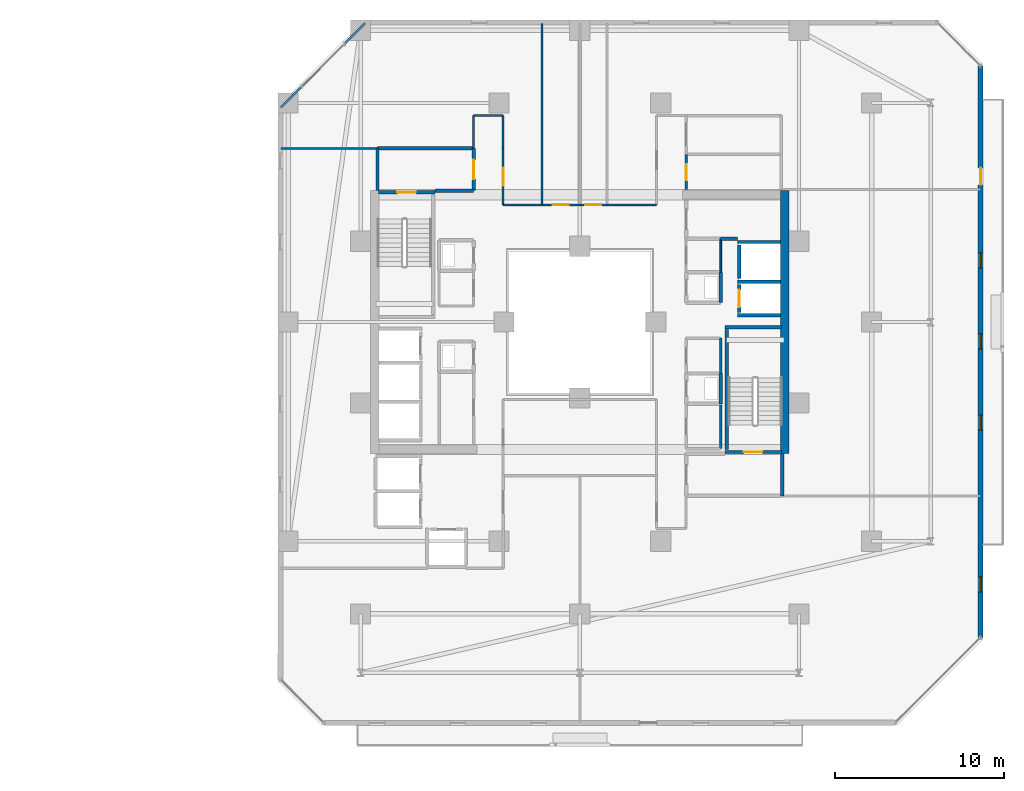
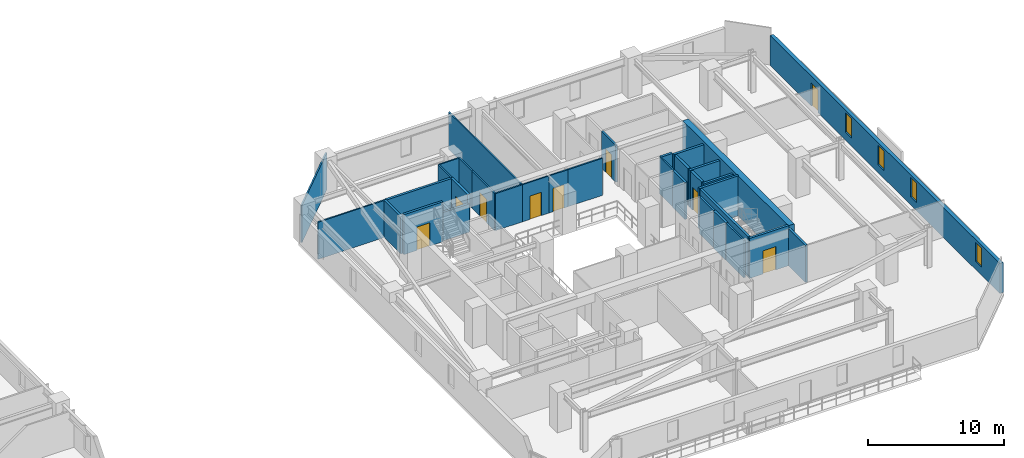
# One storey, part 24 of 33: 34 walls, 9 doors, 4 windows, 13 openings.
"""IFC4 building model written with IfcOpenShell, lengths in metres."""

from ifc_helpers import new_model, si_unit, direction, frame, frame_2d, origin, place, context, subcontext, project, spatial, rectangle, extrude, material, layer, layer_set, type_object, element, fill, save


model = new_model("IFC4")

# Units and contexts
model_context = context("Model", 3, precision=1e-05, world=origin(), true_north=direction((0.0, 1.0)))
body_context = subcontext(model_context, "Body", "Model", "MODEL_VIEW")
ifc_project = project(units=[si_unit("LENGTHUNIT", "METRE"), si_unit("AREAUNIT", "SQUARE_METRE"), si_unit("VOLUMEUNIT", "CUBIC_METRE"), si_unit("PLANEANGLEUNIT", "RADIAN"), si_unit("MASSUNIT", "GRAM", prefix="KILO")], contexts=[model_context])

# Site, building, storey
site_placement = place(None, origin())
site = spatial("IfcSite", under=ifc_project, at=site_placement, CompositionType="ELEMENT")
building_placement = place(site_placement, origin())
building = spatial("IfcBuilding", under=site, at=building_placement, Name="Thornwick Lancets Civic Towers", CompositionType="ELEMENT")
storey_placement = place(building_placement, frame((0.0, 0.0, 134.10009765625)))
storey = spatial("IfcBuildingStorey", under=building, at=storey_placement, Name="L35", CompositionType="ELEMENT", Elevation=134.10009765625)

# Wall, opening, door
ifc_material_1 = material(Name="Concrete blockwork C40/50", Category="masonry")
ifc_layer_1 = layer(ifc_material_1, 0.199951171875, Name="Concrete blockwork C40/50")
ifc_layer_set_1 = layer_set([ifc_layer_1], Name="Concrete blockwork C40/50")
wall_type_1 = type_object("IfcWallType", Name="WALL_COMP_200", PredefinedType="STANDARD", material=ifc_layer_set_1)
wall_1_placement = place(storey_placement, frame((97.949951171875, 29.219970703125, 0.0), z_axis=(0.0, 0.0, 1.0), x_axis=(0.0, -1.0, 0.0)))
wall_1 = element("IfcWall", 1, at=wall_1_placement, inside=storey, type_object=wall_type_1, Name="L35 Hoistway Front Wall FL-B1", PredefinedType="STANDARD", context=body_context, shape_type="SweptSolid", body=[
    extrude(rectangle(XDim=1.639892578125, YDim=0.199951171875, at=frame_2d((0.81982421875, 0.0))), origin(), (0.0, 0.0, 1.0), 3.33984375),
])
opening_1_placement = place(wall_1_placement, frame((0.31005859375, 0.0, 0.0)))
opening_1 = element("IfcOpeningElement", 2, at=opening_1_placement, cuts=wall_1, Name="Opening LD-FL-B1", PredefinedType="OPENING", context=body_context, shape_type="SweptSolid", body=[
    extrude(rectangle(XDim=1.02001953125, YDim=2.06005859375, at=frame_2d((0.510009765625, 1.030029296875))), frame((0.0, 0.10986328125, 0.0), z_axis=(0.0, -1.0, 0.0), x_axis=(1.0, 0.0, 0.0)), (0.0, 0.0, 1.0), 0.219970703125),
])
ifc_material_2 = material(Name="Brushed bronze stainless steel", Category="steel")
door_type_1 = type_object("IfcDoorType", Name="DOOR_LIFT_SLIDE", OperationType="SLIDING_TO_LEFT", PredefinedType="DOOR", material=ifc_material_2)
door_1_placement = place(opening_1_placement, origin())
door_1 = element("IfcDoor", 3, at=door_1_placement, inside=storey, type_object=door_type_1, Name="L35 Sliding Lift Landing Door LD-FL-B1", OperationType="SLIDING_TO_LEFT", OverallHeight=2.06005859375, OverallWidth=1.02001953125, PredefinedType="DOOR", context=body_context, shape_type="SweptSolid", body=[
    extrude(rectangle(XDim=1.02001953125, YDim=2.06005859375, at=frame_2d((0.510009765625, 1.030029296875))), frame((0.0, 0.02490234375, 0.0), z_axis=(0.0, -1.0, 0.0), x_axis=(1.0, 0.0, 0.0)), (0.0, 0.0, 1.0), 0.050048828125),
])
fill(opening_1, door_1)

# Walls
wall_2_placement = place(storey_placement, frame((97.949951171875, 31.570068359375, 0.0), z_axis=(0.0, 0.0, 1.0), x_axis=(0.0, -1.0, 0.0)))
element("IfcWall", 4, at=wall_2_placement, inside=storey, type_object=wall_type_1, Name="L35 Hoistway Front Wall PL-BH1", PredefinedType="STANDARD", context=body_context, shape_type="SweptSolid", body=[
    extrude(rectangle(XDim=1.989990234375, YDim=0.199951171875, at=frame_2d((0.9951171875, 0.0))), origin(), (0.0, 0.0, 1.0), 3.33984375),
])
for number, where, z_axis, x_axis, name in (
    (5, (97.85205078125, 29.39990234375, 0.0), (0.0, 0.0, 1.0), (1.0, 0.0, 0.0), "L35 Hoistway Shaft Wall FL-B1 N"),
    (6, (97.85205078125, 27.39990234375, 0.0), (0.0, 0.0, 1.0), (1.0, 0.0, 0.0), "L35 Hoistway Shaft Wall FL-B1 S"),
    (7, (97.85205078125, 31.75, 0.0), (0.0, 0.0, 1.0), (1.0, 0.0, 0.0), "L35 Hoistway Shaft Wall PL-BH1 N"),
):
    element("IfcWall", number, at=place(storey_placement, frame(where, z_axis=z_axis, x_axis=x_axis)), inside=storey, type_object=wall_type_1, Name=name, PredefinedType="STANDARD", context=body_context, shape_type="SweptSolid", body=[
        extrude(rectangle(XDim=2.535888671875, YDim=0.199951171875, at=frame_2d((1.26806640625, 0.0))), origin(), (0.0, 0.0, 1.0), 3.33984375),
    ])
wall_3_placement = place(storey_placement, frame((100.5, 16.699951171875, 0.0), z_axis=(0.0, 0.0, 1.0), x_axis=(0.0, 1.0, 0.0)))
element("IfcWall", 8, at=wall_3_placement, inside=storey, type_object=wall_type_1, Name="L35 Partition L35-B-FFLOB1 E2", PredefinedType="STANDARD", context=body_context, shape_type="SweptSolid", body=[
    extrude(rectangle(XDim=2.5, YDim=0.199951171875, at=frame_2d((1.25, 0.0))), origin(), (0.0, 0.0, 1.0), 3.33984375),
])
wall_4_placement = place(storey_placement, frame((79.89990234375, 34.800048828125, 0.0), z_axis=(0.0, 0.0, 1.0), x_axis=(1.0, 0.0, 0.0)))
element("IfcWall", 9, at=wall_4_placement, inside=storey, type_object=wall_type_1, Name="L35 Partition L35-B-FFLOB2 E1", PredefinedType="STANDARD", context=body_context, shape_type="SweptSolid", body=[
    extrude(rectangle(XDim=2.300048828125, YDim=0.199951171875, at=frame_2d((1.14990234375, 0.0))), origin(), (0.0, 0.0, 1.0), 2.544921875),
])

# Wall, opening, door
wall_5_placement = place(storey_placement, frame((82.199951171875, 34.800048828125, 0.0), z_axis=(0.0, 0.0, 1.0), x_axis=(0.0, 1.0, 0.0)))
wall_5 = element("IfcWall", 10, at=wall_5_placement, inside=storey, type_object=wall_type_1, Name="L35 Partition L35-B-FFLOB2 E2", PredefinedType="STANDARD", context=body_context, shape_type="SweptSolid", body=[
    extrude(rectangle(XDim=2.5, YDim=0.199951171875, at=frame_2d((1.25, 0.0))), origin(), (0.0, 0.0, 1.0), 3.33984375),
])
opening_2_placement = place(wall_5_placement, frame((0.675048828125, 0.0, 0.0)))
opening_2 = element("IfcOpeningElement", 11, at=opening_2_placement, cuts=wall_5, Name="Opening D-L35-1588", PredefinedType="OPENING", context=body_context, shape_type="SweptSolid", body=[
    extrude(rectangle(XDim=1.14990234375, YDim=2.10009765625, at=frame_2d((0.574951171875, 1.050048828125))), frame((0.0, 0.10986328125, 0.0), z_axis=(0.0, -1.0, 0.0), x_axis=(1.0, 0.0, 0.0)), (0.0, 0.0, 1.0), 0.219970703125),
])
ifc_material_3 = material(Name="Glazed fire-resisting steel", Category="steel")
door_type_2 = type_object("IfcDoorType", Name="DOOR_LOBBY_FD60", OperationType="NOTDEFINED", PredefinedType="DOOR", material=ifc_material_3)
door_2_placement = place(opening_2_placement, origin())
door_2 = element("IfcDoor", 12, at=door_2_placement, inside=storey, type_object=door_type_2, Name="L35 West Firefighting Lobby 2 Door", OperationType="SINGLE_SWING_LEFT", OverallHeight=2.10009765625, OverallWidth=1.14990234375, PredefinedType="DOOR", context=body_context, shape_type="SweptSolid", body=[
    extrude(rectangle(XDim=1.14990234375, YDim=2.10009765625, at=frame_2d((0.574951171875, 1.050048828125))), frame((0.0, 0.02490234375, 0.0), z_axis=(0.0, -1.0, 0.0), x_axis=(1.0, 0.0, 0.0)), (0.0, 0.0, 1.0), 0.050048828125),
])
fill(opening_2, door_2)

# Walls
wall_6_placement = place(storey_placement, frame((82.199951171875, 37.300048828125, 0.0), z_axis=(0.0, 0.0, 1.0), x_axis=(-1.0, 0.0, 0.0)))
element("IfcWall", 13, at=wall_6_placement, inside=storey, type_object=wall_type_1, Name="L35 Partition L35-B-FFLOB2 E3", PredefinedType="STANDARD", context=body_context, shape_type="SweptSolid", body=[
    extrude(rectangle(XDim=5.699951171875, YDim=0.199951171875, at=frame_2d((2.85009765625, 0.0))), origin(), (0.0, 0.0, 1.0), 3.33984375),
])
wall_7_placement = place(storey_placement, frame((76.5, 37.300048828125, 0.0), z_axis=(0.0, 0.0, 1.0), x_axis=(0.0, -1.0, 0.0)))
element("IfcWall", 14, at=wall_7_placement, inside=storey, type_object=wall_type_1, Name="L35 Partition L35-B-FFLOB2 E4", PredefinedType="STANDARD", context=body_context, shape_type="SweptSolid", body=[
    extrude(rectangle(XDim=2.5, YDim=0.199951171875, at=frame_2d((1.25, 0.0))), origin(), (0.0, 0.0, 1.0), 3.33984375),
])
for number, where, z_axis, x_axis, name in (
    (15, (96.85009765625, 28.14990234375, 0.0), (0.0, 0.0, 1.0), (0.0, 1.0, 0.0), "L35 Partition L35-B-DUCT1 E2"),
    (16, (96.85009765625, 22.14990234375, 0.0), (0.0, 0.0, 1.0), (0.0, 1.0, 0.0), "L35 Partition L35-B-RISER1 E2"),
):
    element("IfcWall", number, at=place(storey_placement, frame(where, z_axis=z_axis, x_axis=x_axis)), inside=storey, type_object=wall_type_1, Name=name, PredefinedType="STANDARD", context=body_context, shape_type="SweptSolid", body=[
        extrude(rectangle(XDim=1.800048828125, YDim=0.199951171875, at=frame_2d((0.89990234375, 0.0))), origin(), (0.0, 0.0, 1.0), 3.33984375),
    ])
wall_8_placement = place(storey_placement, frame((97.85205078125, 31.949951171875, 0.0), z_axis=(0.0, 0.0, 1.0), x_axis=(-1.0, 0.0, 0.0)))
element("IfcWall", 17, at=wall_8_placement, inside=storey, type_object=wall_type_1, Name="L35 Partition L35-B-ITR2 E4", PredefinedType="STANDARD", context=body_context, shape_type="SweptSolid", body=[
    extrude(rectangle(XDim=1.001953125, YDim=0.199951171875, at=frame_2d((0.5009765625, 0.0))), origin(), (0.0, 0.0, 1.0), 3.33984375),
])
ifc_material_4 = material(Name="Concrete C50/60", Category="concrete")
ifc_layer_2 = layer(ifc_material_4, 0.5, Name="Concrete C50/60")
ifc_layer_set_2 = layer_set([ifc_layer_2], Name="Concrete C50/60")
wall_type_2 = type_object("IfcWallType", Name="WALL_CORE_500", PredefinedType="SHEAR", material=ifc_layer_set_2)
wall_9_placement = place(storey_placement, frame((100.64990234375, 19.199951171875, 0.0), z_axis=(0.0, 0.0, 1.0), x_axis=(0.0, 1.0, 0.0)))
element("IfcWall", 18, at=wall_9_placement, inside=storey, type_object=wall_type_2, Name="L35 Split Core B1 Shear Wall E", PredefinedType="SHEAR", context=body_context, shape_type="SweptSolid", body=[
    extrude(rectangle(XDim=15.60009765625, YDim=0.5, at=frame_2d((7.800048828125, 0.0))), origin(), (0.0, 0.0, 1.0), 3.599853515625),
])

# Wall, openings, door, windows
ifc_material_5 = material(Name="Insulated russet terracotta rainscreen on concrete C40/50", Category="masonry")
ifc_layer_3 = layer(ifc_material_5, 0.300048828125, Name="Insulated russet terracotta rainscreen on concrete C40/50")
ifc_layer_set_3 = layer_set([ifc_layer_3], Name="Insulated russet terracotta rainscreen on concrete C40/50")
wall_type_3 = type_object("IfcWallType", Name="WALL_EXT_RUSSET_300", PredefinedType="STANDARD", material=ifc_layer_set_3)
wall_10_placement = place(storey_placement, frame((112.25634765625, 8.300537109375, 0.0), z_axis=(0.0, 0.0, 1.0), x_axis=(0.000244999128, 0.999999969988, 0.0)))
wall_10 = element("IfcWall", 19, at=wall_10_placement, inside=storey, type_object=wall_type_3, Name="L35 Tower B Terracotta Facade Wall E2", PredefinedType="STANDARD", context=body_context, shape_type="SweptSolid", body=[
    extrude(rectangle(XDim=33.880859375, YDim=0.300048828125, at=frame_2d((16.9404296875, 0.0))), origin(), (0.0, 0.0, 1.0), 2.699951171875),
])
opening_3_placement = place(wall_10_placement, frame((26.84033203125, 0.0, 0.0)))
opening_3 = element("IfcOpeningElement", 20, at=opening_3_placement, cuts=wall_10, Name="Opening D-BL-L35-BE", PredefinedType="OPENING", context=body_context, shape_type="SweptSolid", body=[
    extrude(rectangle(XDim=1.0, YDim=2.080078125, at=frame_2d((0.5, 1.0400390625))), frame((0.0, 0.16015625, 0.0), z_axis=(0.0, -1.0, 0.0), x_axis=(1.0, 0.0, 0.0)), (0.0, 0.0, 1.0), 0.320068359375),
])
opening_4_placement = place(wall_10_placement, frame((2.699951171875, 0.0, 0.719970703125)))
opening_4 = element("IfcOpeningElement", 21, at=opening_4_placement, cuts=wall_10, Name="Opening WL-01", PredefinedType="OPENING", context=body_context, shape_type="SweptSolid", body=[
    extrude(rectangle(XDim=0.89990234375, YDim=1.75, at=frame_2d((0.449951171875, 0.875))), frame((0.0, 0.16015625, 0.0), z_axis=(0.0, -1.0, 0.0), x_axis=(1.0, 0.0, 0.0)), (0.0, 0.0, 1.0), 0.320068359375),
])
opening_5_placement = place(wall_10_placement, frame((12.300048828125, 0.0, 0.719970703125)))
opening_5 = element("IfcOpeningElement", 22, at=opening_5_placement, cuts=wall_10, Name="Opening WL-01", PredefinedType="OPENING", context=body_context, shape_type="SweptSolid", body=[
    extrude(rectangle(XDim=0.89990234375, YDim=1.75, at=frame_2d((0.449951171875, 0.875))), frame((0.0, 0.16015625, 0.0), z_axis=(0.0, -1.0, 0.0), x_axis=(1.0, 0.0, 0.0)), (0.0, 0.0, 1.0), 0.320068359375),
])
opening_6_placement = place(wall_10_placement, frame((17.10009765625, 0.0, 0.719970703125)))
opening_6 = element("IfcOpeningElement", 23, at=opening_6_placement, cuts=wall_10, Name="Opening WL-01", PredefinedType="OPENING", context=body_context, shape_type="SweptSolid", body=[
    extrude(rectangle(XDim=0.89990234375, YDim=1.75, at=frame_2d((0.449951171875, 0.875))), frame((0.0, 0.16015625, 0.0), z_axis=(0.0, -1.0, 0.0), x_axis=(1.0, 0.0, 0.0)), (0.0, 0.0, 1.0), 0.320068359375),
])
opening_7_placement = place(wall_10_placement, frame((21.89990234375, 0.0, 0.719970703125)))
opening_7 = element("IfcOpeningElement", 24, at=opening_7_placement, cuts=wall_10, Name="Opening WL-01", PredefinedType="OPENING", context=body_context, shape_type="SweptSolid", body=[
    extrude(rectangle(XDim=0.89990234375, YDim=1.75, at=frame_2d((0.449951171875, 0.875))), frame((0.0, 0.16015625, 0.0), z_axis=(0.0, -1.0, 0.0), x_axis=(1.0, 0.0, 0.0)), (0.0, 0.0, 1.0), 0.320068359375),
])
ifc_material_6 = material(Name="Thermally broken glazed loggia doorset")
door_type_3 = type_object("IfcDoorType", Name="DOOR_BALC_1000", OperationType="NOTDEFINED", PredefinedType="DOOR", material=ifc_material_6)
door_3_placement = place(opening_3_placement, origin())
door_3 = element("IfcDoor", 25, at=door_3_placement, inside=storey, type_object=door_type_3, Name="L35 Tower B Loggia Balcony Door E", OperationType="SINGLE_SWING_RIGHT", OverallHeight=2.080078125, OverallWidth=1.0, PredefinedType="DOOR", context=body_context, shape_type="SweptSolid", body=[
    extrude(rectangle(XDim=1.0, YDim=2.080078125, at=frame_2d((0.5, 1.0400390625))), frame((0.0, 0.02490234375, 0.0), z_axis=(0.0, -1.0, 0.0), x_axis=(1.0, 0.0, 0.0)), (0.0, 0.0, 1.0), 0.050048828125),
])
fill(opening_3, door_3)
ifc_material_7 = material(Name="Clear low-e double glazing in bronze frame", Category="glass")
window_type = type_object("IfcWindowType", Name="WIN_LANCET_900", PartitioningType="SINGLE_PANEL", PredefinedType="WINDOW", material=ifc_material_7)
window_1_placement = place(opening_4_placement, origin())
window_1 = element("IfcWindow", 26, at=window_1_placement, inside=storey, type_object=window_type, Name="L35 Tower B Staggered Lancet Window E2-1", OverallHeight=1.75, OverallWidth=0.89990234375, PartitioningType="SINGLE_PANEL", PredefinedType="WINDOW", context=body_context, shape_type="SweptSolid", body=[
    extrude(rectangle(XDim=0.89990234375, YDim=1.75, at=frame_2d((0.449951171875, 0.875))), frame((0.0, 0.030029296875, 0.0), z_axis=(0.0, -1.0, 0.0), x_axis=(1.0, 0.0, 0.0)), (0.0, 0.0, 1.0), 0.06005859375),
])
fill(opening_4, window_1)
window_2_placement = place(opening_5_placement, origin())
window_2 = element("IfcWindow", 27, at=window_2_placement, inside=storey, type_object=window_type, Name="L35 Tower B Staggered Lancet Window E2-2", OverallHeight=1.75, OverallWidth=0.89990234375, PartitioningType="SINGLE_PANEL", PredefinedType="WINDOW", context=body_context, shape_type="SweptSolid", body=[
    extrude(rectangle(XDim=0.89990234375, YDim=1.75, at=frame_2d((0.449951171875, 0.875))), frame((0.0, 0.030029296875, 0.0), z_axis=(0.0, -1.0, 0.0), x_axis=(1.0, 0.0, 0.0)), (0.0, 0.0, 1.0), 0.06005859375),
])
fill(opening_5, window_2)
window_3_placement = place(opening_6_placement, origin())
window_3 = element("IfcWindow", 28, at=window_3_placement, inside=storey, type_object=window_type, Name="L35 Tower B Staggered Lancet Window E2-3", OverallHeight=1.75, OverallWidth=0.89990234375, PartitioningType="SINGLE_PANEL", PredefinedType="WINDOW", context=body_context, shape_type="SweptSolid", body=[
    extrude(rectangle(XDim=0.89990234375, YDim=1.75, at=frame_2d((0.449951171875, 0.875))), frame((0.0, 0.030029296875, 0.0), z_axis=(0.0, -1.0, 0.0), x_axis=(1.0, 0.0, 0.0)), (0.0, 0.0, 1.0), 0.06005859375),
])
fill(opening_6, window_3)
window_4_placement = place(opening_7_placement, origin())
window_4 = element("IfcWindow", 29, at=window_4_placement, inside=storey, type_object=window_type, Name="L35 Tower B Staggered Lancet Window E2-4", OverallHeight=1.75, OverallWidth=0.89990234375, PartitioningType="SINGLE_PANEL", PredefinedType="WINDOW", context=body_context, shape_type="SweptSolid", body=[
    extrude(rectangle(XDim=0.89990234375, YDim=1.75, at=frame_2d((0.449951171875, 0.875))), frame((0.0, 0.030029296875, 0.0), z_axis=(0.0, -1.0, 0.0), x_axis=(1.0, 0.0, 0.0)), (0.0, 0.0, 1.0), 0.06005859375),
])
fill(opening_7, window_4)

# Walls
ifc_material_8 = material(Name="Lightweight cellular office partition")
ifc_layer_4 = layer(ifc_material_8, 0.10009765625, Name="Lightweight cellular office partition")
ifc_layer_set_4 = layer_set([ifc_layer_4], Name="Lightweight cellular office partition")
wall_type_4 = type_object("IfcWallType", Name="WALL_PART_100", PredefinedType="PARTITIONING", material=ifc_layer_set_4)
wall_11_placement = place(storey_placement, frame((96.85009765625, 31.949951171875, 0.0), z_axis=(0.0, 0.0, 1.0), x_axis=(0.0, -1.0, 0.0)))
element("IfcWall", 30, at=wall_11_placement, inside=storey, type_object=wall_type_4, Name="L35 Partition L35-B-CLN E3", PredefinedType="PARTITIONING", context=body_context, shape_type="SweptSolid", body=[
    extrude(rectangle(XDim=2.0, YDim=0.10009765625, at=frame_2d((1.0, 0.0))), origin(), (0.0, 0.0, 1.0), 3.33984375),
])
ifc_material_9 = material(Name="Acoustic gypsum board partition")
ifc_layer_5 = layer(ifc_material_9, 0.1201171875, Name="Acoustic gypsum board partition")
ifc_layer_set_5 = layer_set([ifc_layer_5], Name="Acoustic gypsum board partition")
wall_type_5 = type_object("IfcWallType", Name="WALL_PART_120", PredefinedType="PARTITIONING", material=ifc_layer_set_5)
wall_12_placement = place(storey_placement, frame((93.050048828125, 33.949951171875, 0.0), z_axis=(0.0, 0.0, 1.0), x_axis=(-1.0, 0.0, 0.0)))
element("IfcWall", 31, at=wall_12_placement, inside=storey, type_object=wall_type_5, Name="L35 Partition L35-B-E1 E6", PredefinedType="PARTITIONING", context=body_context, shape_type="SweptSolid", body=[
    extrude(rectangle(XDim=2.949951171875, YDim=0.1201171875, at=frame_2d((1.47509765625, 0.0))), origin(), (0.0, 0.0, 1.0), 3.33984375),
])

# Wall, opening, door
wall_13_placement = place(storey_placement, frame((90.10009765625, 33.949951171875, 0.0), z_axis=(0.0, 0.0, 1.0), x_axis=(-1.0, 0.0, 0.0)))
wall_13 = element("IfcWall", 32, at=wall_13_placement, inside=storey, type_object=wall_type_5, Name="L35 Partition L35-B-E2 E4", PredefinedType="PARTITIONING", context=body_context, shape_type="SweptSolid", body=[
    extrude(rectangle(XDim=1.60009765625, YDim=0.1201171875, at=frame_2d((0.800048828125, 0.0))), origin(), (0.0, 0.0, 1.0), 3.33984375),
])
opening_8_placement = place(wall_13_placement, frame((0.324951171875, 0.0, 0.0)))
opening_8 = element("IfcOpeningElement", 33, at=opening_8_placement, cuts=wall_13, Name="Opening D-L35-1614", PredefinedType="OPENING", context=body_context, shape_type="SweptSolid", body=[
    extrude(rectangle(XDim=0.949951171875, YDim=2.10009765625, at=frame_2d((0.47509765625, 1.050048828125))), frame((0.0, 0.070068359375, 0.0), z_axis=(0.0, -1.0, 0.0), x_axis=(1.0, 0.0, 0.0)), (0.0, 0.0, 1.0), 0.14013671875),
])
ifc_material_10 = material(Name="European oak acoustic doorset")
door_type_4 = type_object("IfcDoorType", Name="DOOR_OFFICE_950", OperationType="NOTDEFINED", PredefinedType="DOOR", material=ifc_material_10)
door_4_placement = place(opening_8_placement, origin())
door_4 = element("IfcDoor", 34, at=door_4_placement, inside=storey, type_object=door_type_4, Name="L35 Tower B Visitors Reception and Waiting Door", OperationType="SINGLE_SWING_LEFT", OverallHeight=2.10009765625, OverallWidth=0.949951171875, PredefinedType="DOOR", context=body_context, shape_type="SweptSolid", body=[
    extrude(rectangle(XDim=0.949951171875, YDim=2.10009765625, at=frame_2d((0.47509765625, 1.050048828125))), frame((0.0, 0.02490234375, 0.0), z_axis=(0.0, -1.0, 0.0), x_axis=(1.0, 0.0, 0.0)), (0.0, 0.0, 1.0), 0.050048828125),
])
fill(opening_8, door_4)

# Wall
wall_14_placement = place(storey_placement, frame((86.25, 33.949951171875, 0.0), z_axis=(0.0, 0.0, 1.0), x_axis=(0.0, 1.0, 0.0)))
element("IfcWall", 35, at=wall_14_placement, inside=storey, type_object=wall_type_5, Name="L35 Partition L35-B-E3 E1", PredefinedType="PARTITIONING", context=body_context, shape_type="SweptSolid", body=[
    extrude(rectangle(XDim=10.77001953125, YDim=0.1201171875, at=frame_2d((5.385009765625, 0.0))), origin(), (0.0, 0.0, 1.0), 3.33984375),
])

# Wall, opening, door
wall_15_placement = place(storey_placement, frame((88.5, 33.949951171875, 0.0), z_axis=(0.0, 0.0, 1.0), x_axis=(-1.0, 0.0, 0.0)))
wall_15 = element("IfcWall", 36, at=wall_15_placement, inside=storey, type_object=wall_type_5, Name="L35 Partition L35-B-E3 E4", PredefinedType="PARTITIONING", context=body_context, shape_type="SweptSolid", body=[
    extrude(rectangle(XDim=2.25, YDim=0.1201171875, at=frame_2d((1.125, 0.0))), origin(), (0.0, 0.0, 1.0), 3.33984375),
])
opening_9_placement = place(wall_15_placement, frame((0.64990234375, 0.0, 0.0)))
opening_9 = element("IfcOpeningElement", 37, at=opening_9_placement, cuts=wall_15, Name="Opening D-L35-1615", PredefinedType="OPENING", context=body_context, shape_type="SweptSolid", body=[
    extrude(rectangle(XDim=0.949951171875, YDim=2.10009765625, at=frame_2d((0.47509765625, 1.050048828125))), frame((0.0, 0.070068359375, 0.0), z_axis=(0.0, -1.0, 0.0), x_axis=(1.0, 0.0, 0.0)), (0.0, 0.0, 1.0), 0.14013671875),
])
door_5_placement = place(opening_9_placement, origin())
door_5 = element("IfcDoor", 38, at=door_5_placement, inside=storey, type_object=door_type_4, Name="L35 Tower B Civic Seminar Room Door", OperationType="SINGLE_SWING_RIGHT", OverallHeight=2.10009765625, OverallWidth=0.949951171875, PredefinedType="DOOR", context=body_context, shape_type="SweptSolid", body=[
    extrude(rectangle(XDim=0.949951171875, YDim=2.10009765625, at=frame_2d((0.47509765625, 1.050048828125))), frame((0.0, 0.02490234375, 0.0), z_axis=(0.0, -1.0, 0.0), x_axis=(1.0, 0.0, 0.0)), (0.0, 0.0, 1.0), 0.050048828125),
])
fill(opening_9, door_5)

wall_16_placement = place(storey_placement, frame((83.949951171875, 33.949951171875, 0.0), z_axis=(0.0, 0.0, 1.0), x_axis=(0.0, 1.0, 0.0)))
wall_16 = element("IfcWall", 39, at=wall_16_placement, inside=storey, type_object=wall_type_5, Name="L35 Partition L35-B-E4 E1", PredefinedType="PARTITIONING", context=body_context, shape_type="SweptSolid", body=[
    extrude(rectangle(XDim=3.35009765625, YDim=0.1201171875, at=frame_2d((1.675048828125, 0.0))), origin(), (0.0, 0.0, 1.0), 3.33984375),
])
opening_10_placement = place(wall_16_placement, frame((1.14990234375, 0.0, 0.0)))
opening_10 = element("IfcOpeningElement", 40, at=opening_10_placement, cuts=wall_16, Name="Opening D-L35-1616", PredefinedType="OPENING", context=body_context, shape_type="SweptSolid", body=[
    extrude(rectangle(XDim=1.050048828125, YDim=2.10009765625, at=frame_2d((0.52490234375, 1.050048828125))), frame((0.0, 0.070068359375, 0.0), z_axis=(0.0, -1.0, 0.0), x_axis=(1.0, 0.0, 0.0)), (0.0, 0.0, 1.0), 0.14013671875),
])
ifc_material_11 = material(Name="Glazed European oak executive doorset")
door_type_5 = type_object("IfcDoorType", Name="DOOR_OFFICE_1050", OperationType="NOTDEFINED", PredefinedType="DOOR", material=ifc_material_11)
door_6_placement = place(opening_10_placement, origin())
door_6 = element("IfcDoor", 41, at=door_6_placement, inside=storey, type_object=door_type_5, Name="L35 Tower B Counsel Chambers Office E4 Door", OperationType="SINGLE_SWING_LEFT", OverallHeight=2.10009765625, OverallWidth=1.050048828125, PredefinedType="DOOR", context=body_context, shape_type="SweptSolid", body=[
    extrude(rectangle(XDim=1.050048828125, YDim=2.10009765625, at=frame_2d((0.52490234375, 1.050048828125))), frame((0.0, 0.02490234375, 0.0), z_axis=(0.0, -1.0, 0.0), x_axis=(1.0, 0.0, 0.0)), (0.0, 0.0, 1.0), 0.050048828125),
])
fill(opening_10, door_6)

# Walls
wall_17_placement = place(storey_placement, frame((83.949951171875, 37.300048828125, 0.0), z_axis=(0.0, 0.0, 1.0), x_axis=(0.0, 1.0, 0.0)))
element("IfcWall", 42, at=wall_17_placement, inside=storey, type_object=wall_type_5, Name="L35 Partition L35-B-E4 E2", PredefinedType="PARTITIONING", context=body_context, shape_type="SweptSolid", body=[
    extrude(rectangle(XDim=1.949951171875, YDim=0.1201171875, at=frame_2d((0.97509765625, 0.0))), origin(), (0.0, 0.0, 1.0), 3.33984375),
])
wall_18_placement = place(storey_placement, frame((83.949951171875, 39.25, 0.0), z_axis=(0.0, 0.0, 1.0), x_axis=(-1.0, 0.0, 0.0)))
element("IfcWall", 43, at=wall_18_placement, inside=storey, type_object=wall_type_5, Name="L35 Partition L35-B-E4 E3", PredefinedType="PARTITIONING", context=body_context, shape_type="SweptSolid", body=[
    extrude(rectangle(XDim=1.75, YDim=0.1201171875, at=frame_2d((0.875, 0.0))), origin(), (0.0, 0.0, 1.0), 3.33984375),
])
wall_19_placement = place(storey_placement, frame((82.199951171875, 39.25, 0.0), z_axis=(0.0, 0.0, 1.0), x_axis=(0.0, -1.0, 0.0)))
element("IfcWall", 44, at=wall_19_placement, inside=storey, type_object=wall_type_5, Name="L35 Partition L35-B-E4 E4", PredefinedType="PARTITIONING", context=body_context, shape_type="SweptSolid", body=[
    extrude(rectangle(XDim=1.949951171875, YDim=0.1201171875, at=frame_2d((0.97509765625, 0.0))), origin(), (0.0, 0.0, 1.0), 3.33984375),
])
wall_20_placement = place(storey_placement, frame((76.5, 37.300048828125, 0.0), z_axis=(0.0, 0.0, 1.0), x_axis=(-1.0, 0.0, 0.0)))
element("IfcWall", 45, at=wall_20_placement, inside=storey, type_object=wall_type_5, Name="L35 Partition L35-B-E4 E6", PredefinedType="PARTITIONING", context=body_context, shape_type="SweptSolid", body=[
    extrude(rectangle(XDim=5.719970703125, YDim=0.1201171875, at=frame_2d((2.85986328125, 0.0))), origin(), (0.0, 0.0, 1.0), 3.33984375),
])
wall_21_placement = place(storey_placement, frame((70.780029296875, 39.7333984375, 0.0), z_axis=(0.0, 0.0, 1.0), x_axis=(0.707106781187, 0.707106781187, 0.0)))
element("IfcWall", 46, at=wall_21_placement, inside=storey, type_object=wall_type_5, Name="L35 Partition L35-B-E4 E8", PredefinedType="PARTITIONING", context=body_context, shape_type="SweptSolid", body=[
    extrude(rectangle(XDim=7.052001953125, YDim=0.1201171875, at=frame_2d((3.52587890625, 0.0))), origin(), (0.0, 0.0, 1.0), 3.33984375),
])
wall_22_placement = place(storey_placement, frame((86.25, 33.949951171875, 0.0), z_axis=(0.0, 0.0, 1.0), x_axis=(-1.0, 0.0, 0.0)))
element("IfcWall", 47, at=wall_22_placement, inside=storey, type_object=wall_type_5, Name="L35 Partition L35-B-E4 E11", PredefinedType="PARTITIONING", context=body_context, shape_type="SweptSolid", body=[
    extrude(rectangle(XDim=2.300048828125, YDim=0.1201171875, at=frame_2d((1.14990234375, 0.0))), origin(), (0.0, 0.0, 1.0), 3.33984375),
])
ifc_material_12 = material(Name="Twin-stud acoustic gypsum board")
ifc_layer_6 = layer(ifc_material_12, 0.14990234375, Name="Twin-stud acoustic gypsum board")
ifc_layer_set_6 = layer_set([ifc_layer_6], Name="Twin-stud acoustic gypsum board")
wall_type_6 = type_object("IfcWallType", Name="WALL_PART_150", PredefinedType="PARTITIONING", material=ifc_layer_set_6)
wall_23_placement = place(storey_placement, frame((96.85009765625, 19.5, 0.0), z_axis=(0.0, 0.0, 1.0), x_axis=(0.0, 1.0, 0.0)))
element("IfcWall", 48, at=wall_23_placement, inside=storey, type_object=wall_type_6, Name="L35 Partition L35-B-MWC E2", PredefinedType="PARTITIONING", context=body_context, shape_type="SweptSolid", body=[
    extrude(rectangle(XDim=2.60009765625, YDim=0.14990234375, at=frame_2d((1.300048828125, 0.0))), origin(), (0.0, 0.0, 1.0), 3.33984375),
])
wall_24_placement = place(storey_placement, frame((96.85009765625, 26.050048828125, 0.0), z_axis=(0.0, 0.0, 1.0), x_axis=(0.0, -1.0, 0.0)))
element("IfcWall", 49, at=wall_24_placement, inside=storey, type_object=wall_type_6, Name="L35 Partition L35-B-AWC E3", PredefinedType="PARTITIONING", context=body_context, shape_type="SweptSolid", body=[
    extrude(rectangle(XDim=2.10009765625, YDim=0.14990234375, at=frame_2d((1.050048828125, 0.0))), origin(), (0.0, 0.0, 1.0), 3.33984375),
])

# Wall, opening, door
wall_25_placement = place(storey_placement, frame((94.800048828125, 34.85009765625, 0.0), z_axis=(0.0, 0.0, 1.0), x_axis=(0.0, 1.0, 0.0)))
wall_25 = element("IfcWall", 50, at=wall_25_placement, inside=storey, type_object=wall_type_6, Name="L35 Partition L35-B-RECLAIM-L1 E3", PredefinedType="PARTITIONING", context=body_context, shape_type="SweptSolid", body=[
    extrude(rectangle(XDim=2.099853515625, YDim=0.14990234375, at=frame_2d((1.0498046875, 0.0))), origin(), (0.0, 0.0, 1.0), 3.33984375),
])
opening_11_placement = place(wall_25_placement, frame((0.574951171875, 0.0, 0.0)))
opening_11 = element("IfcOpeningElement", 51, at=opening_11_placement, cuts=wall_25, Name="Opening D-L35-1608", PredefinedType="OPENING", context=body_context, shape_type="SweptSolid", body=[
    extrude(rectangle(XDim=0.949951171875, YDim=2.10009765625, at=frame_2d((0.47509765625, 1.050048828125))), frame((0.0, 0.0849609375, 0.0), z_axis=(0.0, -1.0, 0.0), x_axis=(1.0, 0.0, 0.0)), (0.0, 0.0, 1.0), 0.169921875),
])
door_7_placement = place(opening_11_placement, origin())
door_7 = element("IfcDoor", 52, at=door_7_placement, inside=storey, type_object=door_type_4, Name="L35 Tower B Policy Archive Door", OperationType="SINGLE_SWING_LEFT", OverallHeight=2.10009765625, OverallWidth=0.949951171875, PredefinedType="DOOR", context=body_context, shape_type="SweptSolid", body=[
    extrude(rectangle(XDim=0.949951171875, YDim=2.10009765625, at=frame_2d((0.47509765625, 1.050048828125))), frame((0.0, 0.02490234375, 0.0), z_axis=(0.0, -1.0, 0.0), x_axis=(1.0, 0.0, 0.0)), (0.0, 0.0, 1.0), 0.050048828125),
])
fill(opening_11, door_7)

ifc_material_13 = material(Name="Concrete C40/50", Category="concrete")
ifc_layer_7 = layer(ifc_material_13, 0.199951171875, Name="Concrete C40/50")
ifc_layer_set_7 = layer_set([ifc_layer_7], Name="Concrete C40/50")
wall_type_7 = type_object("IfcWallType", Name="WALL_SHAFT_200", PredefinedType="SHEAR", material=ifc_layer_set_7)
wall_26_placement = place(storey_placement, frame((100.449951171875, 19.300048828125, 0.0), z_axis=(0.0, 0.0, 1.0), x_axis=(-1.0, 0.0, 0.0)))
wall_26 = element("IfcWall", 53, at=wall_26_placement, inside=storey, type_object=wall_type_7, Name="L35 ST-B1 Fire Stair Core Wall NEAR", PredefinedType="SHEAR", context=body_context, shape_type="SweptSolid", body=[
    extrude(rectangle(XDim=3.349853515625, YDim=0.199951171875, at=frame_2d((1.6748046875, 0.0))), origin(), (0.0, 0.0, 1.0), 3.599853515625),
])
opening_12_placement = place(wall_26_placement, frame((1.125, 0.0, 0.0)))
opening_12 = element("IfcOpeningElement", 54, at=opening_12_placement, cuts=wall_26, Name="Opening D-ST-B1-L35", PredefinedType="OPENING", context=body_context, shape_type="SweptSolid", body=[
    extrude(rectangle(XDim=1.10009765625, YDim=2.10009765625, at=frame_2d((0.550048828125, 1.050048828125))), frame((0.0, 0.10986328125, 0.0), z_axis=(0.0, -1.0, 0.0), x_axis=(1.0, 0.0, 0.0)), (0.0, 0.0, 1.0), 0.219970703125),
])
ifc_material_14 = material(Name="Fire-resisting steel and hardwood", Category="steel")
door_type_6 = type_object("IfcDoorType", Name="DOOR_STAIR_FD60", OperationType="NOTDEFINED", PredefinedType="DOOR", material=ifc_material_14)
door_8_placement = place(opening_12_placement, origin())
door_8 = element("IfcDoor", 55, at=door_8_placement, inside=storey, type_object=door_type_6, Name="L35 ST-B1 Exit Stair Door", OperationType="SINGLE_SWING_RIGHT", OverallHeight=2.10009765625, OverallWidth=1.10009765625, PredefinedType="DOOR", context=body_context, shape_type="SweptSolid", body=[
    extrude(rectangle(XDim=1.10009765625, YDim=2.10009765625, at=frame_2d((0.550048828125, 1.050048828125))), frame((0.0, 0.02490234375, 0.0), z_axis=(0.0, -1.0, 0.0), x_axis=(1.0, 0.0, 0.0)), (0.0, 0.0, 1.0), 0.050048828125),
])
fill(opening_12, door_8)

# Walls
wall_27_placement = place(storey_placement, frame((97.10009765625, 26.699951171875, 0.0), z_axis=(0.0, 0.0, 1.0), x_axis=(1.0, 0.0, 0.0)))
element("IfcWall", 56, at=wall_27_placement, inside=storey, type_object=wall_type_7, Name="L35 ST-B1 Fire Stair Core Wall FAR", PredefinedType="SHEAR", context=body_context, shape_type="SweptSolid", body=[
    extrude(rectangle(XDim=3.349853515625, YDim=0.199951171875, at=frame_2d((1.6748046875, 0.0))), origin(), (0.0, 0.0, 1.0), 3.599853515625),
])
wall_28_placement = place(storey_placement, frame((97.202880859375, 26.550048828125, 0.0), z_axis=(0.0, 0.0, 1.0), x_axis=(0.0, -1.0, 0.0)))
element("IfcWall", 57, at=wall_28_placement, inside=storey, type_object=wall_type_7, Name="L35 ST-B1 Fire Stair Core Wall RIGHT", PredefinedType="SHEAR", context=body_context, shape_type="SweptSolid", body=[
    extrude(rectangle(XDim=7.10009765625, YDim=0.199951171875, at=frame_2d((3.550048828125, 0.0))), origin(), (0.0, 0.0, 1.0), 3.599853515625),
])

# Wall, opening, door
wall_29_placement = place(storey_placement, frame((76.550048828125, 34.699951171875, 0.0), z_axis=(0.0, 0.0, 1.0), x_axis=(1.0, 0.0, 0.0)))
wall_29 = element("IfcWall", 58, at=wall_29_placement, inside=storey, type_object=wall_type_7, Name="L35 ST-B2 Fire Stair Core Wall NEAR", PredefinedType="SHEAR", context=body_context, shape_type="SweptSolid", body=[
    extrude(rectangle(XDim=3.349853515625, YDim=0.199951171875, at=frame_2d((1.6748046875, 0.0))), origin(), (0.0, 0.0, 1.0), 3.599853515625),
])
opening_13_placement = place(wall_29_placement, frame((1.125, 0.0, 0.0)))
opening_13 = element("IfcOpeningElement", 59, at=opening_13_placement, cuts=wall_29, Name="Opening D-ST-B2-L35", PredefinedType="OPENING", context=body_context, shape_type="SweptSolid", body=[
    extrude(rectangle(XDim=1.10009765625, YDim=2.10009765625, at=frame_2d((0.550048828125, 1.050048828125))), frame((0.0, 0.10986328125, 0.0), z_axis=(0.0, -1.0, 0.0), x_axis=(1.0, 0.0, 0.0)), (0.0, 0.0, 1.0), 0.219970703125),
])
door_9_placement = place(opening_13_placement, origin())
door_9 = element("IfcDoor", 60, at=door_9_placement, inside=storey, type_object=door_type_6, Name="L35 ST-B2 Exit Stair Door", OperationType="SINGLE_SWING_LEFT", OverallHeight=2.10009765625, OverallWidth=1.10009765625, PredefinedType="DOOR", context=body_context, shape_type="SweptSolid", body=[
    extrude(rectangle(XDim=1.10009765625, YDim=2.10009765625, at=frame_2d((0.550048828125, 1.050048828125))), frame((0.0, 0.02490234375, 0.0), z_axis=(0.0, -1.0, 0.0), x_axis=(1.0, 0.0, 0.0)), (0.0, 0.0, 1.0), 0.050048828125),
])
fill(opening_13, door_9)

save(model, "model.ifc")
